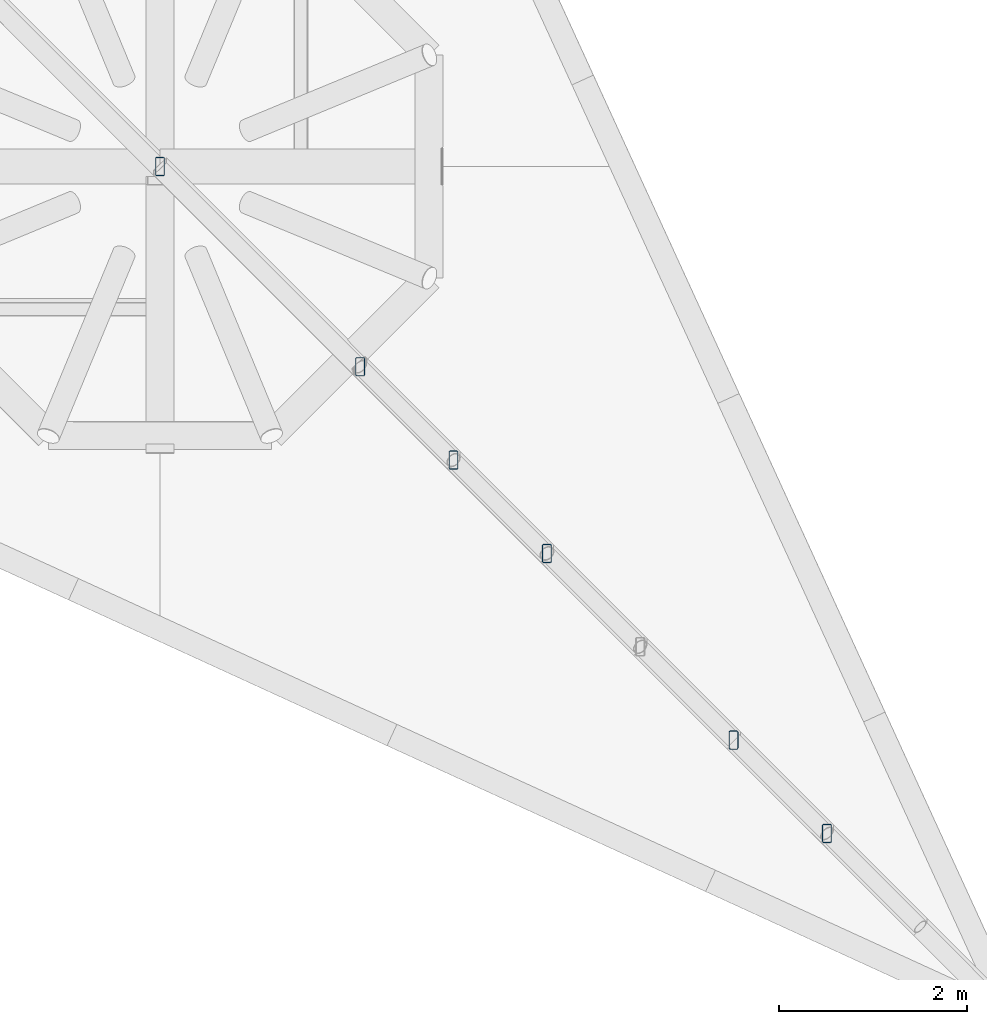
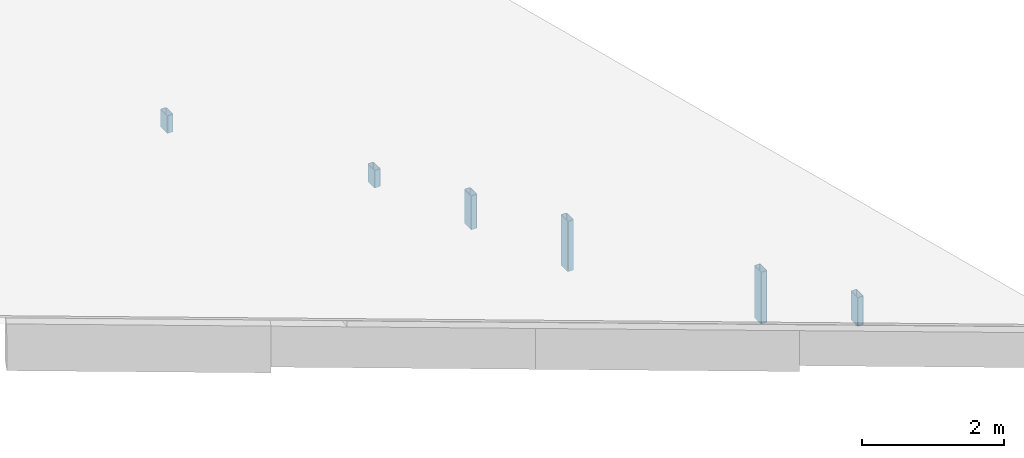
# One storey, part 28 of 56: 6 members.
"""IFC4 building model written with IfcOpenShell, lengths in metres."""

from ifc_helpers import new_model, si_unit, direction, frame, origin, origin_2d, place, context, subcontext, project, spatial, hollow_rectangle, extrude, material, material_profile, profile_set, type_object, element, save


model = new_model("IFC4")

# Units and contexts
model_context = context("Model", 3, precision=1e-05, world=origin(), true_north=direction((0.0, 1.0)))
body_context = subcontext(model_context, "Body", "Model", "MODEL_VIEW")
ifc_project = project(units=[si_unit("LENGTHUNIT", "METRE"), si_unit("AREAUNIT", "SQUARE_METRE"), si_unit("VOLUMEUNIT", "CUBIC_METRE"), si_unit("PLANEANGLEUNIT", "RADIAN"), si_unit("MASSUNIT", "GRAM", prefix="KILO")], contexts=[model_context])

# Site, building, storey
site_placement = place(None, origin())
site = spatial("IfcSite", under=ifc_project, at=site_placement, CompositionType="ELEMENT")
building_placement = place(site_placement, origin())
building = spatial("IfcBuilding", under=site, at=building_placement, Name="Magnolia Steps Interchange", CompositionType="ELEMENT")
storey_placement = place(building_placement, frame((0.0, 0.0, 8.699951171875)))
storey = spatial("IfcBuildingStorey", under=building, at=storey_placement, Name="L02", CompositionType="ELEMENT", Elevation=8.699951171875)

# Members
ifc_material = material(Name="Steel Q355B", Category="steel")
ifc_material_profile = material_profile(ifc_material, hollow_rectangle(XDim=0.10009765625, YDim=0.199951171875, WallThickness=0.008056640625, InnerFilletRadius=0.008056640625, OuterFilletRadius=0.01611328125, at=origin_2d()), Name="RHS200x100x8")
ifc_profile_set = profile_set([ifc_material_profile], Name="Steel Q355B")
member_type = type_object("IfcMemberType", Name="Roof truss post RHS200x100x8", PredefinedType="USERDEFINED", material=ifc_profile_set)
for number, where, z_axis, x_axis, name in (
    (1, (118.0, 42.39990234375, 1.64453125), (0.0, 0.0, 1.0), (1.0, 0.0, 0.0), "Spike truss SP-H-SE post"),
    (2, (120.131103515625, 40.268798828125, 1.2548828125), (0.0, 0.0, 1.0), (1.0, 0.0, 0.0), "Spike truss SP-H-SE post"),
):
    element("IfcMember", number, at=place(storey_placement, frame(where, z_axis=z_axis, x_axis=x_axis)), inside=storey, type_object=member_type, Name=name, ObjectType="Roof truss post", PredefinedType="USERDEFINED", context=body_context, shape_type="SweptSolid", body=[
        extrude(hollow_rectangle(XDim=0.10009765625, YDim=0.199951171875, WallThickness=0.008056640625, InnerFilletRadius=0.008056640625, OuterFilletRadius=0.01611328125, at=origin_2d()), origin(), (0.0, 0.0, 1.0), 0.300048828125),
    ])
member_1_placement = place(storey_placement, frame((121.124755859375, 39.275146484375, 0.7919921875), z_axis=(0.0, 0.0, 1.0), x_axis=(1.0, 0.0, 0.0)))
element("IfcMember", 3, at=member_1_placement, inside=storey, type_object=member_type, Name="Spike truss SP-H-SE post", ObjectType="Roof truss post", PredefinedType="USERDEFINED", context=body_context, shape_type="SweptSolid", body=[
    extrude(hollow_rectangle(XDim=0.10009765625, YDim=0.199951171875, WallThickness=0.008056640625, InnerFilletRadius=0.008056640625, OuterFilletRadius=0.01611328125, at=origin_2d()), origin(), (0.0, 0.0, 1.0), 0.5810546875),
])
member_2_placement = place(storey_placement, frame((122.118408203125, 38.281494140625, 0.329345703125), z_axis=(0.0, 0.0, 1.0), x_axis=(1.0, 0.0, 0.0)))
element("IfcMember", 4, at=member_2_placement, inside=storey, type_object=member_type, Name="Spike truss SP-H-SE post", ObjectType="Roof truss post", PredefinedType="USERDEFINED", context=body_context, shape_type="SweptSolid", body=[
    extrude(hollow_rectangle(XDim=0.10009765625, YDim=0.199951171875, WallThickness=0.008056640625, InnerFilletRadius=0.008056640625, OuterFilletRadius=0.01611328125, at=origin_2d()), origin(), (0.0, 0.0, 1.0), 0.862060546875),
])
member_3_placement = place(storey_placement, frame((124.105712890625, 36.29443359375, -0.05712890625), z_axis=(0.0, 0.0, 1.0), x_axis=(1.0, 0.0, 0.0)))
element("IfcMember", 5, at=member_3_placement, inside=storey, type_object=member_type, Name="Spike truss SP-H-SE post", ObjectType="Roof truss post", PredefinedType="USERDEFINED", context=body_context, shape_type="SweptSolid", body=[
    extrude(hollow_rectangle(XDim=0.10009765625, YDim=0.199951171875, WallThickness=0.008056640625, InnerFilletRadius=0.008056640625, OuterFilletRadius=0.01611328125, at=origin_2d()), origin(), (0.0, 0.0, 1.0), 0.885009765625),
])
member_4_placement = place(storey_placement, frame((125.09912109375, 35.30078125, 0.156005859375), z_axis=(0.0, 0.0, 1.0), x_axis=(1.0, 0.0, 0.0)))
element("IfcMember", 6, at=member_4_placement, inside=storey, type_object=member_type, Name="Spike truss SP-H-SE post", ObjectType="Roof truss post", PredefinedType="USERDEFINED", context=body_context, shape_type="SweptSolid", body=[
    extrude(hollow_rectangle(XDim=0.10009765625, YDim=0.199951171875, WallThickness=0.008056640625, InnerFilletRadius=0.008056640625, OuterFilletRadius=0.01611328125, at=origin_2d()), origin(), (0.0, 0.0, 1.0), 0.489990234375),
])

save(model, "model.ifc")
